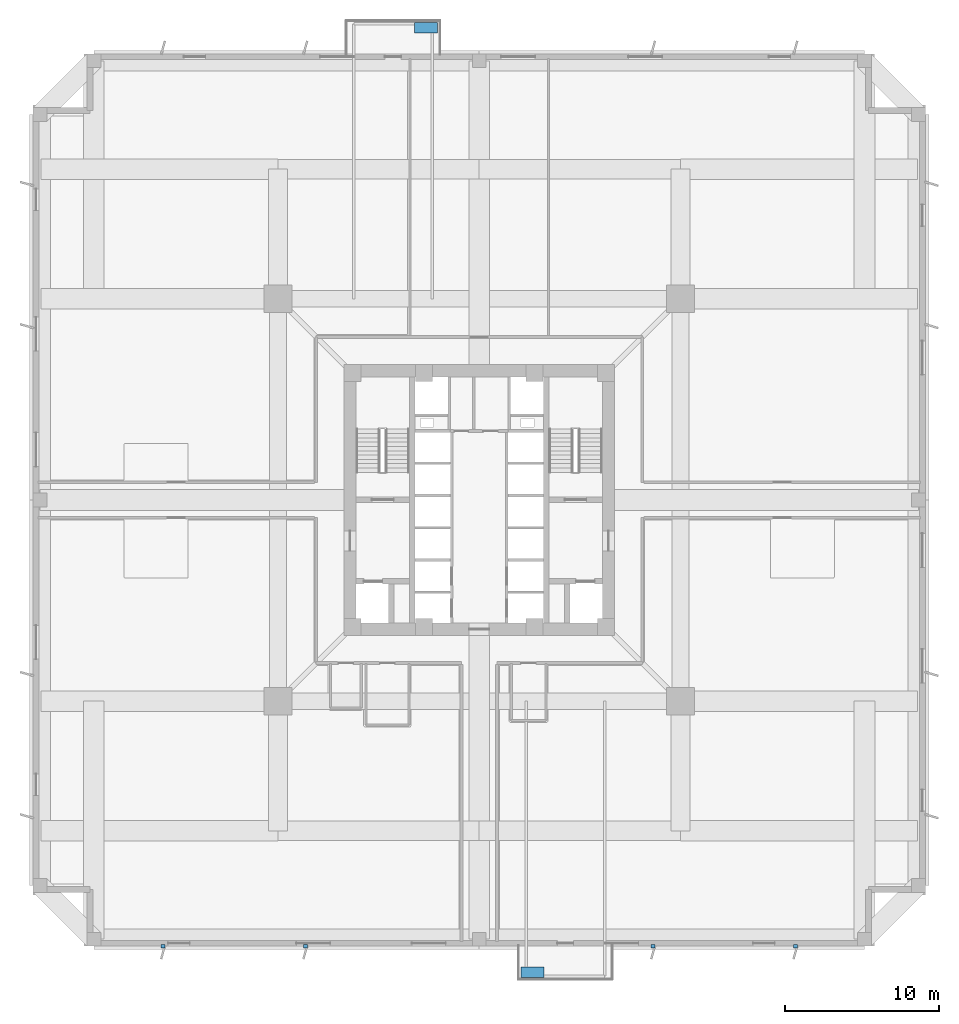
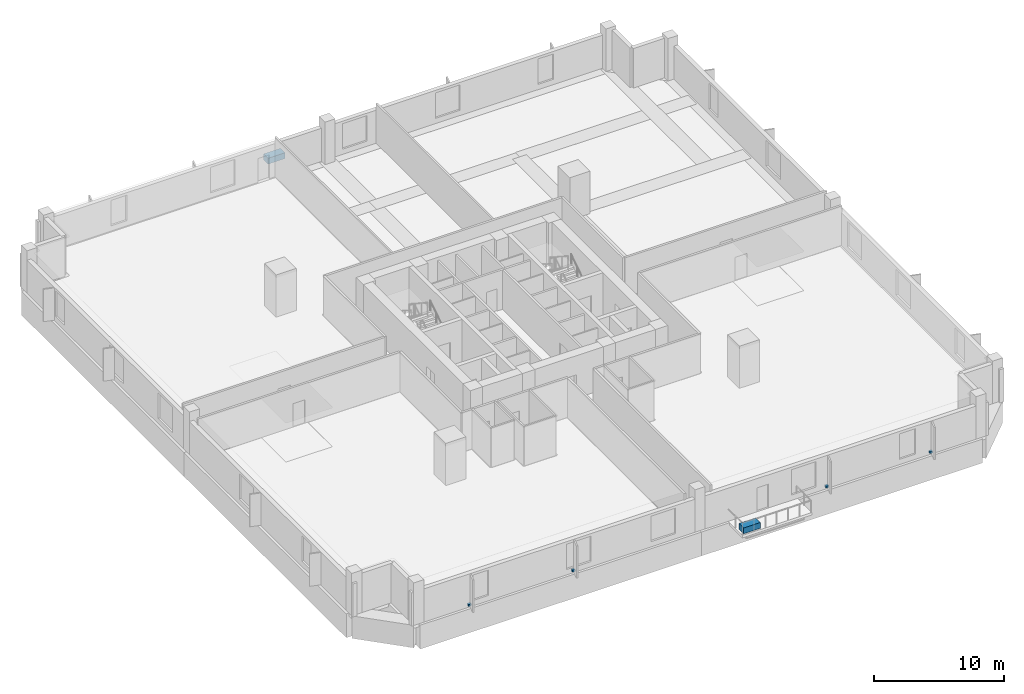
# One storey, part 5 of 9: 6 discrete accessories.
"""IFC4 building model written with IfcOpenShell, lengths in metres."""

from ifc_helpers import new_model, si_unit, direction, frame, origin, origin_2d, place, context, subcontext, project, spatial, rectangle, extrude, source, transform, mapped, material, type_object, element, save


model = new_model("IFC4")

# Units and contexts
model_context = context("Model", 3, precision=1e-05, world=origin(), true_north=direction((0.0, 1.0)))
body_context = subcontext(model_context, "Body", "Model", "MODEL_VIEW")
ifc_project = project(units=[si_unit("LENGTHUNIT", "METRE"), si_unit("AREAUNIT", "SQUARE_METRE"), si_unit("VOLUMEUNIT", "CUBIC_METRE"), si_unit("PLANEANGLEUNIT", "RADIAN"), si_unit("MASSUNIT", "GRAM", prefix="KILO"), si_unit("THERMODYNAMICTEMPERATUREUNIT", "KELVIN")], contexts=[model_context])

# Site, building, storey
site_placement = place(None, origin())
site = spatial("IfcSite", under=ifc_project, at=site_placement, CompositionType="ELEMENT")
building_placement = place(site_placement, origin())
building = spatial("IfcBuilding", under=site, at=building_placement, Name="Kosmvard Interchange Tower", CompositionType="ELEMENT")
storey_placement = place(building_placement, frame((0.0, 0.0, 26.0)))
storey = spatial("IfcBuildingStorey", under=building, at=storey_placement, Name="L05", CompositionType="ELEMENT", Elevation=26.0)

# Discrete accessories
ifc_material_1 = material(Name="Terracotta precast planter concrete C45/55", Category="masonry")
discrete_accessory_type_1 = type_object("IfcDiscreteAccessoryType", Name="Precast Tree-Balcony & Terrace Planter Box", PredefinedType="USERDEFINED", material=ifc_material_1)
shared_shape_1 = source(origin(), body_context, "Body", "SweptSolid", [
    extrude(rectangle(XDim=1.5, YDim=0.699951171875, at=origin_2d()), origin(), (0.0, 0.0, 1.0), 0.550048828125),
])
for number, where, z_axis, x_axis, name in (
    (1, (3.449951171875, -30.699951171875, 0.0), (0.0, 0.0, 1.0), (1.0, 0.0, 0.0), "L05 Balcony Tree Planter BAL-L05-SW"),
    (2, (-3.449951171875, 30.699951171875, 0.0), (0.0, 0.0, 1.0), (1.0, 0.0, 0.0), "L05 Balcony Tree Planter BAL-L05-NE"),
):
    element("IfcDiscreteAccessory", number, at=place(storey_placement, frame(where, z_axis=z_axis, x_axis=x_axis)), inside=storey, type_object=discrete_accessory_type_1, Name=name, ObjectType="PLANTER", PredefinedType="USERDEFINED", context=body_context, shape_type="MappedRepresentation", body=[
        mapped(shared_shape_1, transform((0.0, 0.0, 0.0), scale=1.0)),
    ])
ifc_material_2 = material(Name="Steel S355", Category="steel")
discrete_accessory_type_2 = type_object("IfcDiscreteAccessoryType", Name="Facade Fin Structural Cleat Bracket", PredefinedType="BRACKET", material=ifc_material_2)
shared_shape_2 = source(origin(), body_context, "Body", "SweptSolid", [
    extrude(rectangle(XDim=0.239990234375, YDim=0.260009765625, at=origin_2d()), origin(), (0.0, 0.0, 1.0), 0.179931640625),
])
for number, where, z_axis, x_axis, name in (
    (3, (-20.552001953125, -29.0, 0.16015625), (0.0, 0.0, 1.0), (0.0, -1.0, 0.0), "L05 Sun-Breaker Anchor Bracket 01"),
    (4, (-11.3037109375, -29.0, 0.16015625), (0.0, 0.0, 1.0), (0.0, -1.0, 0.0), "L05 Sun-Breaker Anchor Bracket 02"),
    (5, (11.3037109375, -29.0, 0.16015625), (0.0, 0.0, 1.0), (0.0, -1.0, 0.0), "L05 Sun-Breaker Anchor Bracket 03"),
    (6, (20.552001953125, -29.0, 0.16015625), (0.0, 0.0, 1.0), (0.0, -1.0, 0.0), "L05 Sun-Breaker Anchor Bracket 04"),
):
    element("IfcDiscreteAccessory", number, at=place(storey_placement, frame(where, z_axis=z_axis, x_axis=x_axis)), inside=storey, type_object=discrete_accessory_type_2, Name=name, PredefinedType="BRACKET", context=body_context, shape_type="MappedRepresentation", body=[
        mapped(shared_shape_2, transform((0.0, 0.0, 0.0), scale=1.0)),
    ])

save(model, "model.ifc")
